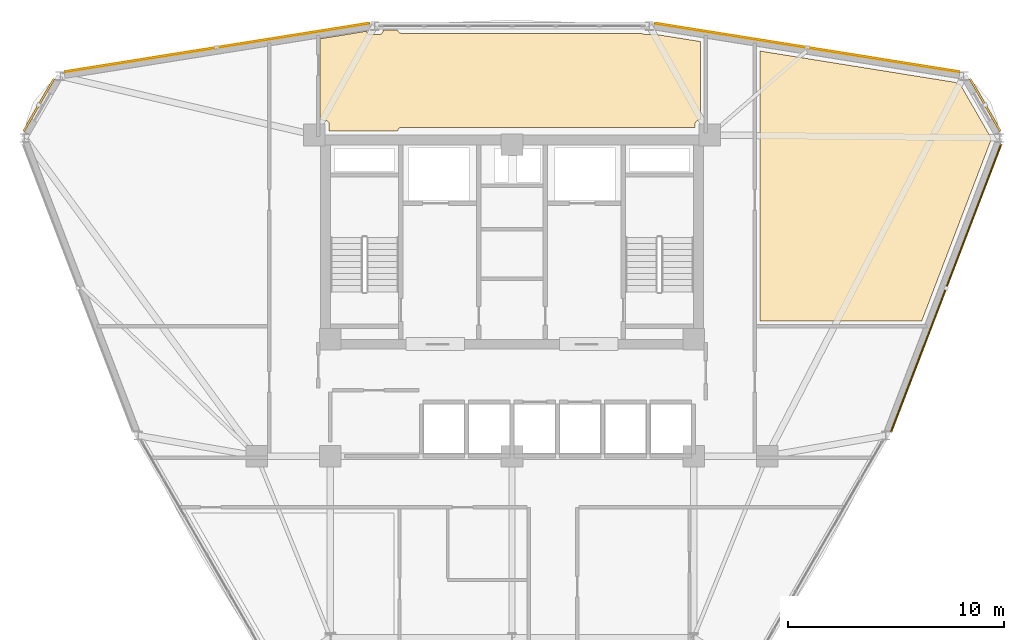
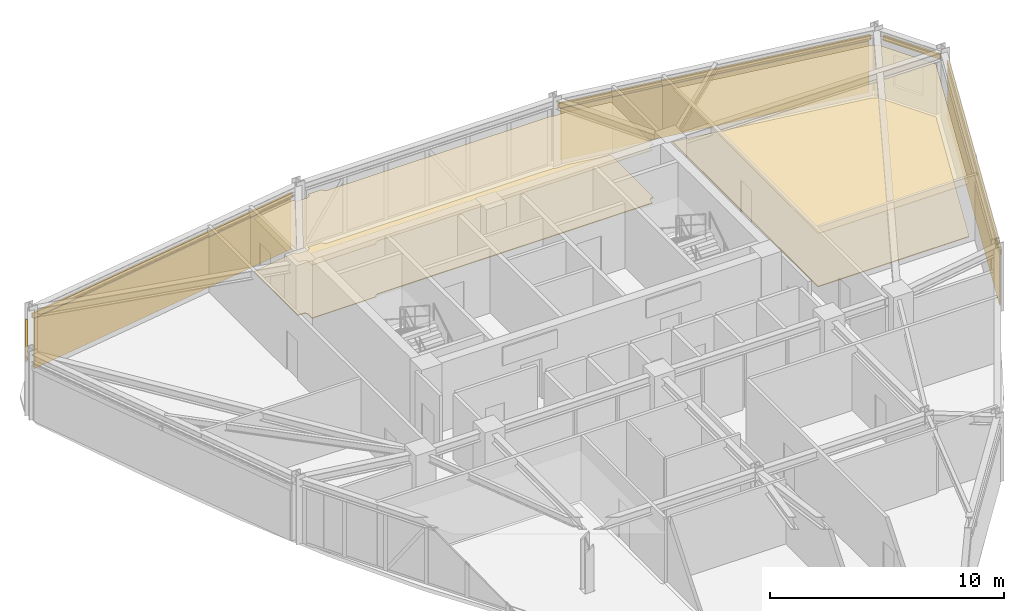
# One storey, part 14 of 14: 7 coverings, 5 shading devices.
"""IFC4 building model written with IfcOpenShell, lengths in metres."""

from ifc_helpers import new_model, si_unit, derived_unit, direction, frame, origin, origin_2d, place, context, subcontext, project, spatial, polyline, hollow_rectangle, outline, extrude, source, transform, mapped, material, layer, layer_set, material_profile, profile_set, type_object, element, save


model = new_model("IFC4")

# Units and contexts
model_context = context("Model", 3, precision=1e-05, world=origin(), true_north=direction((0.0, 1.0)))
body_context = subcontext(model_context, "Body", "Model", "MODEL_VIEW")
ifc_project = project(units=[si_unit("LENGTHUNIT", "METRE"), si_unit("AREAUNIT", "SQUARE_METRE"), si_unit("VOLUMEUNIT", "CUBIC_METRE"), si_unit("PLANEANGLEUNIT", "RADIAN"), si_unit("MASSUNIT", "GRAM", prefix="KILO"), derived_unit("THERMALTRANSMITTANCEUNIT", [(si_unit("POWERUNIT", "WATT"), 1), (si_unit("LENGTHUNIT", "METRE"), -2), (si_unit("THERMODYNAMICTEMPERATUREUNIT", "KELVIN"), -1)])], contexts=[model_context])

# Site, building, storey
site_placement = place(None, origin())
site = spatial("IfcSite", under=ifc_project, at=site_placement, CompositionType="ELEMENT")
building_placement = place(site_placement, origin())
building = spatial("IfcBuilding", under=site, at=building_placement, Name="Korsvarv Bourse and Concert Hall", CompositionType="ELEMENT")
storey_placement = place(building_placement, frame((0.0, 0.0, 172.199951171875)))
storey = spatial("IfcBuildingStorey", under=building, at=storey_placement, Name="L44", CompositionType="ELEMENT", Elevation=172.199951171875)

# Coverings
ifc_material_1 = material(Name="Perforated mineral-wool and birch acoustic baffle ceiling", Category="wood")
ifc_layer_1 = layer(ifc_material_1, 0.02490234375)
ifc_layer_set_1 = layer_set([ifc_layer_1], Name="Perforated mineral-wool and birch acoustic baffle ceiling")
covering_type_1 = type_object("IfcCoveringType", Name="COV-CEIL-1", PredefinedType="CEILING", material=ifc_layer_set_1)
covering_1_placement = place(storey_placement, frame((0.0, 0.0, 2.780029296875)))
element("IfcCovering", 1, at=covering_1_placement, inside=storey, type_object=covering_type_1, Name="L44 acoustic baffle ceiling 1", PredefinedType="CEILING", context=body_context, shape_type="SweptSolid", body=[
    extrude(outline(polyline([(56.531494140625, 49.680419921875), (56.552001953125, 49.650634765625), (56.577880859375, 49.62548828125), (56.6083984375, 49.606201171875), (56.64208984375, 49.59326171875), (56.677490234375, 49.58740234375), (56.735595703125, 49.58349609375), (58.160888671875, 47.114990234375), (58.160888671875, 47.038818359375), (54.95068359375, 38.64990234375), (47.47998046875, 38.64990234375), (47.47998046875, 51.1328125), (56.531494140625, 49.680419921875)])), origin(), (0.0, 0.0, 1.0), 0.02490234375),
])
covering_2_placement = place(storey_placement, frame((0.0, 0.0, 2.780029296875)))
element("IfcCovering", 2, at=covering_2_placement, inside=storey, type_object=covering_type_1, Name="L44 acoustic baffle ceiling 2", PredefinedType="CEILING", context=body_context, shape_type="SweptSolid", body=[
    extrude(outline(polyline([(29.264892578125, 52.051513671875), (29.2744140625, 52.02001953125), (29.290283203125, 51.9892578125), (29.312255859375, 51.962158203125), (29.3388671875, 51.939697265625), (29.369140625, 51.9228515625), (29.402099609375, 51.912109375), (29.436767578125, 51.907958984375), (29.852783203125, 51.89794921875), (29.887451171875, 51.900390625), (29.9208984375, 51.909423828125), (29.9521484375, 51.925048828125), (29.979736328125, 51.9462890625), (30.002685546875, 51.97216796875), (30.0205078125, 52.002197265625), (30.031982421875, 52.03515625), (30.036865234375, 52.069580078125), (30.038818359375, 52.11572265625), (30.711181640625, 52.11572265625), (30.7158203125, 52.090576171875), (30.728515625, 52.056396484375), (30.747802734375, 52.025634765625), (30.772705078125, 51.999267578125), (30.802734375, 51.978515625), (30.836181640625, 51.964111328125), (30.871826171875, 51.956787109375), (42.010986328125, 51.955810546875), (42.03076171875, 51.939697265625), (42.06103515625, 51.9228515625), (42.09423828125, 51.912109375), (42.128662109375, 51.907958984375), (42.544677734375, 51.89794921875), (42.57958984375, 51.900390625), (42.611572265625, 51.9091796875), (44.7099609375, 51.57470703125), (44.7099609375, 47.93994140625), (44.64990234375, 47.93994140625), (44.615478515625, 47.936767578125), (44.582275390625, 47.9267578125), (44.5517578125, 47.910888671875), (44.524658203125, 47.88916015625), (44.502197265625, 47.86279296875), (44.4853515625, 47.83251953125), (44.474365234375, 47.799560546875), (44.47021484375, 47.765380859375), (44.465087890625, 47.60009765625), (30.889892578125, 47.60009765625), (30.853759765625, 47.59619140625), (30.819091796875, 47.58544921875), (30.787109375, 47.567626953125), (30.759521484375, 47.5439453125), (30.7373046875, 47.51513671875), (30.72119140625, 47.482421875), (30.712158203125, 47.447265625), (27.5400390625, 47.43994140625), (27.5400390625, 47.75), (27.53662109375, 47.78466796875), (27.526611328125, 47.81787109375), (27.510498046875, 47.8486328125), (27.48876953125, 47.875732421875), (27.46240234375, 47.898193359375), (27.431884765625, 47.9150390625), (27.39892578125, 47.92578125), (27.364501953125, 47.929931640625), (27.1298828125, 47.935791015625), (27.1298828125, 51.700439453125), (29.264892578125, 52.051513671875)])), origin(), (0.0, 0.0, 1.0), 0.02490234375),
])
ifc_material_2 = material(Name="Warm iron-oxide extruded terracotta rainscreen tile", Category="ceramic")
ifc_layer_2 = layer(ifc_material_2, 0.044921875)
ifc_layer_set_2 = layer_set([ifc_layer_2], Name="Warm iron-oxide extruded terracotta rainscreen tile")
covering_type_2 = type_object("IfcCoveringType", Name="COV-CLD-TC", PredefinedType="CLADDING", material=ifc_layer_set_2)
covering_3_placement = place(storey_placement, origin())
element("IfcCovering", 3, at=covering_3_placement, inside=storey, type_object=covering_type_2, Name="L44 fluted terracotta cladding panel EW-L44-B02", PredefinedType="CLADDING", context=body_context, shape_type="SweptSolid", body=[
    extrude(outline(polyline([(56.63671875, 50.154052734375), (42.654296875, 52.38330078125), (42.661376953125, 52.427734375), (56.6435546875, 50.198486328125), (56.63671875, 50.154052734375)])), origin(), (0.0, 0.0, 1.0), 2.68994140625),
])
covering_4_placement = place(storey_placement, origin())
element("IfcCovering", 4, at=covering_4_placement, inside=storey, type_object=covering_type_2, Name="L44 fluted terracotta cladding panel EW-L44-B04", PredefinedType="CLADDING", context=body_context, shape_type="SweptSolid", body=[
    extrude(outline(polyline([(29.345703125, 52.38330078125), (15.36328125, 50.154052734375), (15.3564453125, 50.198486328125), (29.338623046875, 52.427734375), (29.345703125, 52.38330078125)])), origin(), (0.0, 0.0, 1.0), 2.630126953125),
])
covering_5_placement = place(storey_placement, origin())
element("IfcCovering", 5, at=covering_5_placement, inside=storey, type_object=covering_type_2, Name="L44 fluted terracotta cladding panel EW-L44-B12", PredefinedType="CLADDING", context=body_context, shape_type="SweptSolid", body=[
    extrude(outline(polyline([(53.521728515625, 33.58740234375), (58.56982421875, 46.7783203125), (58.61181640625, 46.76220703125), (53.563720703125, 33.5712890625), (53.521728515625, 33.58740234375)])), origin(), (0.0, 0.0, 1.0), 2.68994140625),
])
ifc_material_3 = material(Name="Calcium-sulphate raised access trading floor with Nordic oak top", Category="wood")
ifc_layer_3 = layer(ifc_material_3, 0.0400390625)
ifc_layer_set_3 = layer_set([ifc_layer_3], Name="Calcium-sulphate raised access trading floor with Nordic oak top")
covering_type_3 = type_object("IfcCoveringType", Name="COV-FLOR-1", PredefinedType="FLOORING", material=ifc_layer_set_3)
covering_6_placement = place(storey_placement, origin())
element("IfcCovering", 6, at=covering_6_placement, inside=storey, type_object=covering_type_3, Name="L44 raised access oak floor finish 1", PredefinedType="FLOORING", context=body_context, shape_type="SweptSolid", body=[
    extrude(outline(polyline([(56.531494140625, 49.680419921875), (56.552001953125, 49.650634765625), (56.577880859375, 49.62548828125), (56.6083984375, 49.606201171875), (56.64208984375, 49.59326171875), (56.677490234375, 49.58740234375), (56.735595703125, 49.58349609375), (58.160888671875, 47.114990234375), (58.160888671875, 47.038818359375), (54.95068359375, 38.64990234375), (47.47998046875, 38.64990234375), (47.47998046875, 51.1328125), (56.531494140625, 49.680419921875)])), origin(), (0.0, 0.0, 1.0), 0.0400390625),
])
covering_7_placement = place(storey_placement, origin())
element("IfcCovering", 7, at=covering_7_placement, inside=storey, type_object=covering_type_3, Name="L44 raised access oak floor finish 2", PredefinedType="FLOORING", context=body_context, shape_type="SweptSolid", body=[
    extrude(outline(polyline([(29.264892578125, 52.051513671875), (29.2744140625, 52.02001953125), (29.290283203125, 51.9892578125), (29.312255859375, 51.962158203125), (29.3388671875, 51.939697265625), (29.369140625, 51.9228515625), (29.402099609375, 51.912109375), (29.436767578125, 51.907958984375), (29.852783203125, 51.89794921875), (29.887451171875, 51.900390625), (29.9208984375, 51.909423828125), (29.9521484375, 51.925048828125), (29.979736328125, 51.9462890625), (30.002685546875, 51.97216796875), (30.0205078125, 52.002197265625), (30.031982421875, 52.03515625), (30.036865234375, 52.069580078125), (30.038818359375, 52.11572265625), (30.711181640625, 52.11572265625), (30.7158203125, 52.090576171875), (30.728515625, 52.056396484375), (30.747802734375, 52.025634765625), (30.772705078125, 51.999267578125), (30.802734375, 51.978515625), (30.836181640625, 51.964111328125), (30.871826171875, 51.956787109375), (42.010986328125, 51.955810546875), (42.03076171875, 51.939697265625), (42.06103515625, 51.9228515625), (42.09423828125, 51.912109375), (42.128662109375, 51.907958984375), (42.544677734375, 51.89794921875), (42.57958984375, 51.900390625), (42.611572265625, 51.9091796875), (44.7099609375, 51.57470703125), (44.7099609375, 47.93994140625), (44.64990234375, 47.93994140625), (44.615478515625, 47.936767578125), (44.582275390625, 47.9267578125), (44.5517578125, 47.910888671875), (44.524658203125, 47.88916015625), (44.502197265625, 47.86279296875), (44.4853515625, 47.83251953125), (44.474365234375, 47.799560546875), (44.47021484375, 47.765380859375), (44.465087890625, 47.60009765625), (30.889892578125, 47.60009765625), (30.853759765625, 47.59619140625), (30.819091796875, 47.58544921875), (30.787109375, 47.567626953125), (30.759521484375, 47.5439453125), (30.7373046875, 47.51513671875), (30.72119140625, 47.482421875), (30.712158203125, 47.447265625), (27.5400390625, 47.43994140625), (27.5400390625, 47.75), (27.53662109375, 47.78466796875), (27.526611328125, 47.81787109375), (27.510498046875, 47.8486328125), (27.48876953125, 47.875732421875), (27.46240234375, 47.898193359375), (27.431884765625, 47.9150390625), (27.39892578125, 47.92578125), (27.364501953125, 47.929931640625), (27.1298828125, 47.935791015625), (27.1298828125, 51.700439453125), (29.264892578125, 52.051513671875)])), origin(), (0.0, 0.0, 1.0), 0.0400390625),
])

# Shading devices
ifc_material_4 = material(Name="Glazed extruded architectural terracotta", Category="ceramic")
ifc_material_profile = material_profile(ifc_material_4, hollow_rectangle(XDim=0.090087890625, YDim=0.260009765625, WallThickness=0.011962890625, at=origin_2d()), Name="TC-BAG 90x260")
ifc_profile_set = profile_set([ifc_material_profile], Name="Glazed extruded architectural terracotta")
shading_device_type = type_object("IfcShadingDeviceType", Name="SHD-BAG-1", PredefinedType="USERDEFINED", material=ifc_profile_set)
shared_shape_1 = source(origin(), body_context, "Body", "SweptSolid", [
    extrude(hollow_rectangle(XDim=0.090087890625, YDim=0.260009765625, WallThickness=0.011962890625, at=origin_2d()), origin(), (0.0, 0.0, 1.0), 2.811279296875),
])
for number, where, z_axis, x_axis, name in (
    (8, (58.591064453125, 47.419921875, 2.85009765625), (-0.499978056798, 0.866038072327, 0.0), (-0.866038072327, -0.499978056798, 0.0), "L44 terracotta baguette sunshade EW-L44-B01"),
    (9, (14.814453125, 49.8544921875, 2.85009765625), (-0.499978056798, -0.866038072327, 0.0), (0.866038072327, -0.499978056798, 0.0), "L44 terracotta baguette sunshade EW-L44-B05"),
):
    element("IfcShadingDevice", number, at=place(storey_placement, frame(where, z_axis=z_axis, x_axis=x_axis)), inside=storey, type_object=shading_device_type, Name=name, ObjectType="BAGUETTE", PredefinedType="USERDEFINED", context=body_context, shape_type="MappedRepresentation", body=[
        mapped(shared_shape_1, transform((0.0, 0.0, 0.0), scale=1.0)),
    ])
shared_shape_2 = source(origin(), body_context, "Body", "SweptSolid", [
    extrude(hollow_rectangle(XDim=0.090087890625, YDim=0.260009765625, WallThickness=0.011962890625, at=origin_2d()), origin(), (0.0, 0.0, 1.0), 14.31884765625),
])
for number, where, z_axis, x_axis, name in (
    (10, (56.721923828125, 50.180908203125, 2.85009765625), (-0.987528363291, 0.157441200757, 0.0), (-0.157441200757, -0.987528363291, 0.0), "L44 terracotta baguette sunshade EW-L44-B02"),
    (11, (29.41845703125, 52.435302734375, 2.7900390625), (-0.987528363291, -0.157441200757, 0.0), (0.157441200757, -0.987528363291, 0.0), "L44 terracotta baguette sunshade EW-L44-B04"),
):
    element("IfcShadingDevice", number, at=place(storey_placement, frame(where, z_axis=z_axis, x_axis=x_axis)), inside=storey, type_object=shading_device_type, Name=name, ObjectType="BAGUETTE", PredefinedType="USERDEFINED", context=body_context, shape_type="MappedRepresentation", body=[
        mapped(shared_shape_2, transform((0.0, 0.0, 0.0), scale=1.0)),
    ])
shared_shape_3 = source(origin(), body_context, "Body", "SweptSolid", [
    extrude(hollow_rectangle(XDim=0.090087890625, YDim=0.260009765625, WallThickness=0.011962890625, at=origin_2d()), origin(), (0.0, 0.0, 1.0), 14.283935546875),
])
shading_device_placement = place(storey_placement, frame((53.530517578125, 33.498291015625, 2.85009765625), z_axis=(0.357407179744, 0.933948664471, 0.0), x_axis=(-0.933948664471, 0.357407179744, 0.0)))
element("IfcShadingDevice", 12, at=shading_device_placement, inside=storey, type_object=shading_device_type, Name="L44 terracotta baguette sunshade EW-L44-B12", ObjectType="BAGUETTE", PredefinedType="USERDEFINED", context=body_context, shape_type="MappedRepresentation", body=[
    mapped(shared_shape_3, transform((0.0, 0.0, 0.0), scale=1.0)),
])

save(model, "model.ifc")
